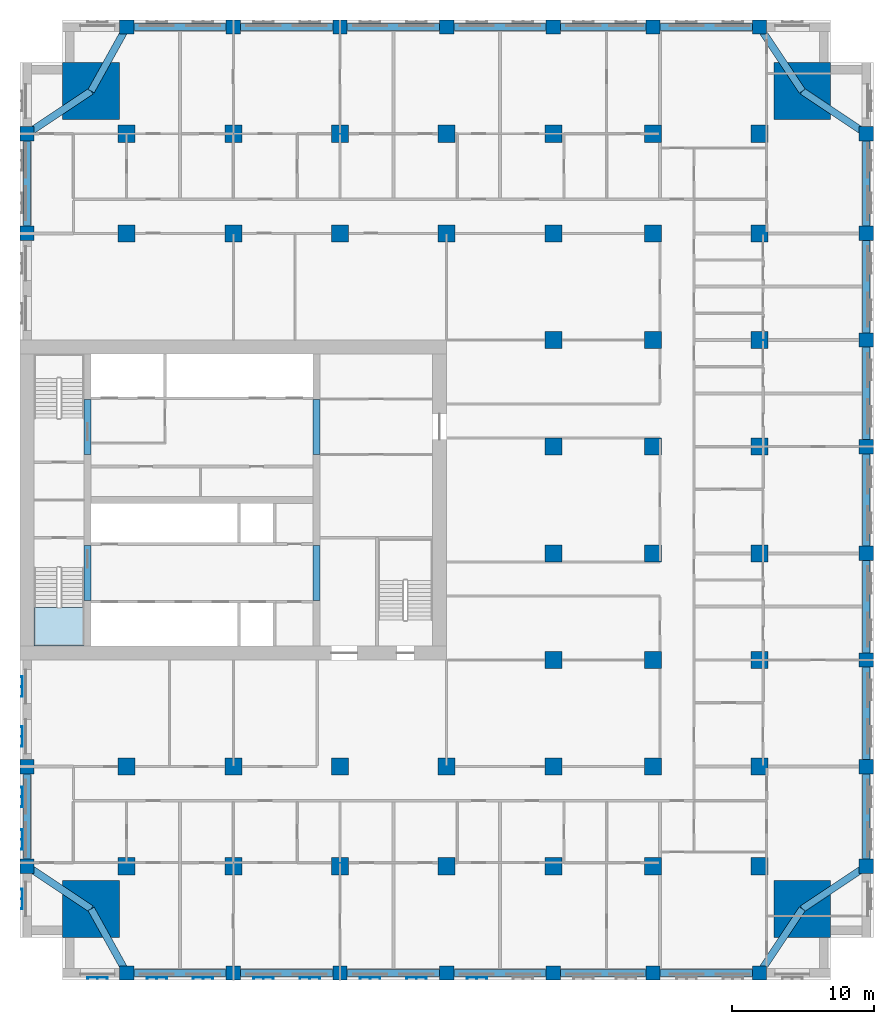
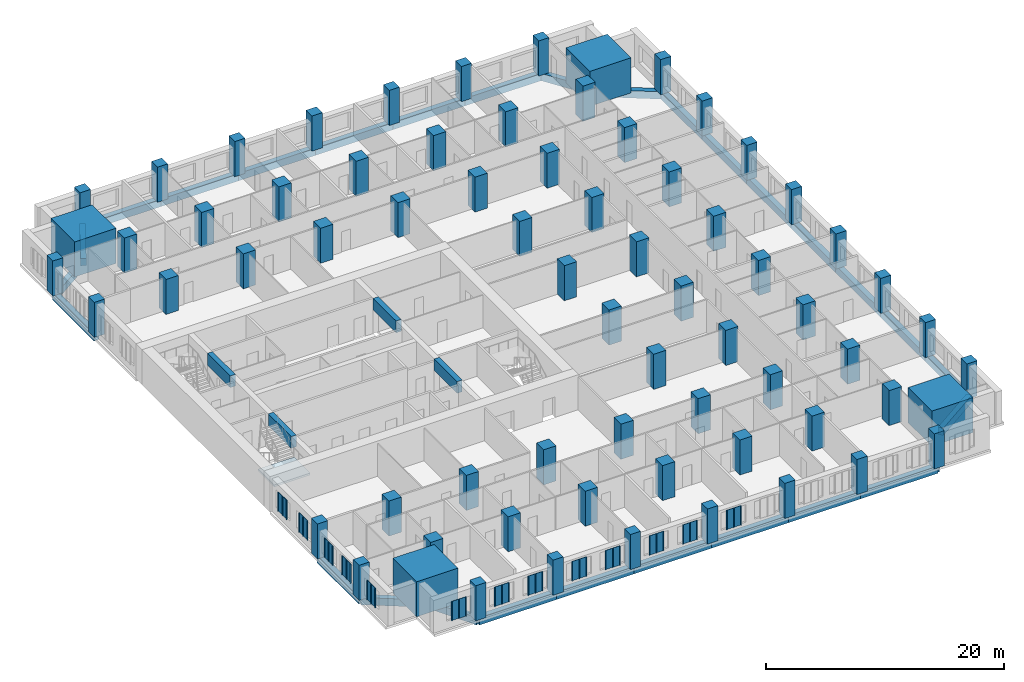
# One storey, part 1 of 14: 70 columns, 33 beams, 13 plates, 1 slab, 1 element without a shape of its own.
"""IFC4 building model written with IfcOpenShell, lengths in metres."""

from ifc_helpers import new_model, si_unit, direction, frame, origin, origin_2d, place, context, subcontext, project, spatial, polyline, rectangle, outline, extrude, material, layer, layer_set, material_profile, profile_set, type_object, element, aggregate, save


model = new_model("IFC4")

# Units and contexts
model_context = context("Model", 3, precision=1e-05, world=origin(), true_north=direction((0.0, 1.0)))
body_context = subcontext(model_context, "Body", "Model", "MODEL_VIEW")
ifc_project = project(units=[si_unit("LENGTHUNIT", "METRE"), si_unit("AREAUNIT", "SQUARE_METRE"), si_unit("VOLUMEUNIT", "CUBIC_METRE"), si_unit("PLANEANGLEUNIT", "RADIAN"), si_unit("MASSUNIT", "GRAM", prefix="KILO")], contexts=[model_context])

# Site, building, storey
site_placement = place(None, origin())
site = spatial("IfcSite", under=ifc_project, at=site_placement, CompositionType="ELEMENT")
building_placement = place(site_placement, origin())
building = spatial("IfcBuilding", under=site, at=building_placement, Name="Tamorin Gate", CompositionType="ELEMENT")
storey_placement = place(building_placement, frame((0.0, 0.0, 41.199951171875)))
storey = spatial("IfcBuildingStorey", under=building, at=storey_placement, Name="L08", CompositionType="ELEMENT", Elevation=41.199951171875)

# Columns
ifc_material_1 = material(Name="Concrete C80/95", Category="concrete")
ifc_material_profile_1 = material_profile(ifc_material_1, rectangle(XDim=1.0, YDim=1.0, at=origin_2d()), Name="RC 1000x1000")
ifc_profile_set_1 = profile_set([ifc_material_profile_1], Name="Concrete C80/95")
column_type_1 = type_object("IfcColumnType", Name="RC column 1000x1000 C80/95", PredefinedType="COLUMN", material=ifc_profile_set_1)
for number, where, z_axis, x_axis, name in (
    (1, (30.5, 45.5, 0.0), (0.0, 0.0, 1.0), (1.0, 0.0, 0.0), "Ring column L08"),
    (2, (30.5, 52.5, 0.0), (0.0, 0.0, 1.0), (1.0, 0.0, 0.0), "Ring column L08"),
    (3, (30.5, 90.0, 0.0), (0.0, 0.0, 1.0), (1.0, 0.0, 0.0), "Ring column L08"),
    (4, (30.5, 97.0, 0.0), (0.0, 0.0, 1.0), (1.0, 0.0, 0.0), "Ring column L08"),
    (5, (37.5, 38.0, 0.0), (0.0, 0.0, 1.0), (1.0, 0.0, 0.0), "Ring column L08"),
    (6, (37.5, 104.5, 0.0), (0.0, 0.0, 1.0), (1.0, 0.0, 0.0), "Ring column L08"),
    (7, (45.0, 38.0, 0.0), (0.0, 0.0, 1.0), (1.0, 0.0, 0.0), "Ring column L08"),
    (8, (45.0, 104.5, 0.0), (0.0, 0.0, 1.0), (1.0, 0.0, 0.0), "Ring column L08"),
    (9, (52.5, 38.0, 0.0), (0.0, 0.0, 1.0), (1.0, 0.0, 0.0), "Ring column L08"),
    (10, (52.5, 104.5, 0.0), (0.0, 0.0, 1.0), (1.0, 0.0, 0.0), "Ring column L08"),
    (11, (60.0, 38.0, 0.0), (0.0, 0.0, 1.0), (1.0, 0.0, 0.0), "Ring column L08"),
    (12, (60.0, 104.5, 0.0), (0.0, 0.0, 1.0), (1.0, 0.0, 0.0), "Ring column L08"),
    (13, (67.5, 38.0, 0.0), (0.0, 0.0, 1.0), (1.0, 0.0, 0.0), "Ring column L08"),
    (14, (67.5, 104.5, 0.0), (0.0, 0.0, 1.0), (1.0, 0.0, 0.0), "Ring column L08"),
    (15, (74.5, 38.0, 0.0), (0.0, 0.0, 1.0), (1.0, 0.0, 0.0), "Ring column L08"),
    (16, (74.5, 104.5, 0.0), (0.0, 0.0, 1.0), (1.0, 0.0, 0.0), "Ring column L08"),
    (17, (82.0, 38.0, 0.0), (0.0, 0.0, 1.0), (1.0, 0.0, 0.0), "Ring column L08"),
    (18, (82.0, 104.5, 0.0), (0.0, 0.0, 1.0), (1.0, 0.0, 0.0), "Ring column L08"),
    (19, (89.5, 45.5, 0.0), (0.0, 0.0, 1.0), (1.0, 0.0, 0.0), "Ring column L08"),
    (20, (89.5, 52.5, 0.0), (0.0, 0.0, 1.0), (1.0, 0.0, 0.0), "Ring column L08"),
    (21, (89.5, 60.0, 0.0), (0.0, 0.0, 1.0), (1.0, 0.0, 0.0), "Ring column L08"),
    (22, (89.5, 67.5, 0.0), (0.0, 0.0, 1.0), (1.0, 0.0, 0.0), "Ring column L08"),
    (23, (89.5, 75.0, 0.0), (0.0, 0.0, 1.0), (1.0, 0.0, 0.0), "Ring column L08"),
    (24, (89.5, 82.5, 0.0), (0.0, 0.0, 1.0), (1.0, 0.0, 0.0), "Ring column L08"),
    (25, (89.5, 90.0, 0.0), (0.0, 0.0, 1.0), (1.0, 0.0, 0.0), "Ring column L08"),
    (26, (89.5, 97.0, 0.0), (0.0, 0.0, 1.0), (1.0, 0.0, 0.0), "Ring column L08"),
):
    element("IfcColumn", number, at=place(storey_placement, frame(where, z_axis=z_axis, x_axis=x_axis)), inside=storey, type_object=column_type_1, Name=name, PredefinedType="COLUMN", context=body_context, shape_type="SweptSolid", body=[
        extrude(rectangle(XDim=1.0, YDim=1.0, at=origin_2d()), origin(), (0.0, 0.0, 1.0), 3.60009765625),
    ])
ifc_material_profile_2 = material_profile(ifc_material_1, rectangle(XDim=1.199951171875, YDim=1.199951171875, at=origin_2d()), Name="RC 1200x1200")
ifc_profile_set_2 = profile_set([ifc_material_profile_2], Name="Concrete C80/95")
column_type_2 = type_object("IfcColumnType", Name="RC column 1200x1200 C80/95", PredefinedType="COLUMN", material=ifc_profile_set_2)
for number, where, z_axis, x_axis, name in (
    (27, (37.5, 45.5, 0.0), (0.0, 0.0, 1.0), (1.0, 0.0, 0.0), "Interior column L08"),
    (28, (37.5, 52.5, 0.0), (0.0, 0.0, 1.0), (1.0, 0.0, 0.0), "Interior column L08"),
    (29, (37.5, 90.0, 0.0), (0.0, 0.0, 1.0), (1.0, 0.0, 0.0), "Interior column L08"),
    (30, (37.5, 97.0, 0.0), (0.0, 0.0, 1.0), (1.0, 0.0, 0.0), "Interior column L08"),
    (31, (45.0, 45.5, 0.0), (0.0, 0.0, 1.0), (1.0, 0.0, 0.0), "Interior column L08"),
    (32, (45.0, 52.5, 0.0), (0.0, 0.0, 1.0), (1.0, 0.0, 0.0), "Interior column L08"),
    (33, (45.0, 90.0, 0.0), (0.0, 0.0, 1.0), (1.0, 0.0, 0.0), "Interior column L08"),
    (34, (45.0, 97.0, 0.0), (0.0, 0.0, 1.0), (1.0, 0.0, 0.0), "Interior column L08"),
    (35, (52.5, 45.5, 0.0), (0.0, 0.0, 1.0), (1.0, 0.0, 0.0), "Interior column L08"),
    (36, (52.5, 52.5, 0.0), (0.0, 0.0, 1.0), (1.0, 0.0, 0.0), "Interior column L08"),
    (37, (52.5, 90.0, 0.0), (0.0, 0.0, 1.0), (1.0, 0.0, 0.0), "Interior column L08"),
    (38, (52.5, 97.0, 0.0), (0.0, 0.0, 1.0), (1.0, 0.0, 0.0), "Interior column L08"),
    (39, (60.0, 45.5, 0.0), (0.0, 0.0, 1.0), (1.0, 0.0, 0.0), "Interior column L08"),
    (40, (60.0, 52.5, 0.0), (0.0, 0.0, 1.0), (1.0, 0.0, 0.0), "Interior column L08"),
    (41, (60.0, 90.0, 0.0), (0.0, 0.0, 1.0), (1.0, 0.0, 0.0), "Interior column L08"),
    (42, (60.0, 97.0, 0.0), (0.0, 0.0, 1.0), (1.0, 0.0, 0.0), "Interior column L08"),
    (43, (67.5, 45.5, 0.0), (0.0, 0.0, 1.0), (1.0, 0.0, 0.0), "Interior column L08"),
    (44, (67.5, 52.5, 0.0), (0.0, 0.0, 1.0), (1.0, 0.0, 0.0), "Interior column L08"),
    (45, (67.5, 60.0, 0.0), (0.0, 0.0, 1.0), (1.0, 0.0, 0.0), "Interior column L08"),
    (46, (67.5, 67.5, 0.0), (0.0, 0.0, 1.0), (1.0, 0.0, 0.0), "Interior column L08"),
    (47, (67.5, 75.0, 0.0), (0.0, 0.0, 1.0), (1.0, 0.0, 0.0), "Interior column L08"),
    (48, (67.5, 82.5, 0.0), (0.0, 0.0, 1.0), (1.0, 0.0, 0.0), "Interior column L08"),
    (49, (67.5, 90.0, 0.0), (0.0, 0.0, 1.0), (1.0, 0.0, 0.0), "Interior column L08"),
    (50, (67.5, 97.0, 0.0), (0.0, 0.0, 1.0), (1.0, 0.0, 0.0), "Interior column L08"),
    (51, (74.5, 45.5, 0.0), (0.0, 0.0, 1.0), (1.0, 0.0, 0.0), "Interior column L08"),
    (52, (74.5, 52.5, 0.0), (0.0, 0.0, 1.0), (1.0, 0.0, 0.0), "Interior column L08"),
    (53, (74.5, 60.0, 0.0), (0.0, 0.0, 1.0), (1.0, 0.0, 0.0), "Interior column L08"),
    (54, (74.5, 67.5, 0.0), (0.0, 0.0, 1.0), (1.0, 0.0, 0.0), "Interior column L08"),
    (55, (74.5, 75.0, 0.0), (0.0, 0.0, 1.0), (1.0, 0.0, 0.0), "Interior column L08"),
    (56, (74.5, 82.5, 0.0), (0.0, 0.0, 1.0), (1.0, 0.0, 0.0), "Interior column L08"),
    (57, (74.5, 90.0, 0.0), (0.0, 0.0, 1.0), (1.0, 0.0, 0.0), "Interior column L08"),
    (58, (74.5, 97.0, 0.0), (0.0, 0.0, 1.0), (1.0, 0.0, 0.0), "Interior column L08"),
    (59, (82.0, 45.5, 0.0), (0.0, 0.0, 1.0), (1.0, 0.0, 0.0), "Interior column L08"),
    (60, (82.0, 52.5, 0.0), (0.0, 0.0, 1.0), (1.0, 0.0, 0.0), "Interior column L08"),
    (61, (82.0, 60.0, 0.0), (0.0, 0.0, 1.0), (1.0, 0.0, 0.0), "Interior column L08"),
    (62, (82.0, 67.5, 0.0), (0.0, 0.0, 1.0), (1.0, 0.0, 0.0), "Interior column L08"),
    (63, (82.0, 75.0, 0.0), (0.0, 0.0, 1.0), (1.0, 0.0, 0.0), "Interior column L08"),
    (64, (82.0, 82.5, 0.0), (0.0, 0.0, 1.0), (1.0, 0.0, 0.0), "Interior column L08"),
    (65, (82.0, 90.0, 0.0), (0.0, 0.0, 1.0), (1.0, 0.0, 0.0), "Interior column L08"),
    (66, (82.0, 97.0, 0.0), (0.0, 0.0, 1.0), (1.0, 0.0, 0.0), "Interior column L08"),
):
    element("IfcColumn", number, at=place(storey_placement, frame(where, z_axis=z_axis, x_axis=x_axis)), inside=storey, type_object=column_type_2, Name=name, PredefinedType="COLUMN", context=body_context, shape_type="SweptSolid", body=[
        extrude(rectangle(XDim=1.199951171875, YDim=1.199951171875, at=origin_2d()), origin(), (0.0, 0.0, 1.0), 3.60009765625),
    ])
ifc_material_profile_3 = material_profile(ifc_material_1, rectangle(XDim=4.0, YDim=4.0, at=origin_2d()), Name="RC 4000x4000")
ifc_profile_set_3 = profile_set([ifc_material_profile_3], Name="Concrete C80/95")
column_type_3 = type_object("IfcColumnType", Name="RC column 4000x4000 C80/95", PredefinedType="COLUMN", material=ifc_profile_set_3)
for number, where, z_axis, x_axis, name in (
    (67, (35.0, 42.5, 0.0), (0.0, 0.0, 1.0), (1.0, 0.0, 0.0), "Mega column SW L08"),
    (68, (85.0, 42.5, 0.0), (0.0, 0.0, 1.0), (1.0, 0.0, 0.0), "Mega column SE L08"),
    (69, (35.0, 100.0, 0.0), (0.0, 0.0, 1.0), (1.0, 0.0, 0.0), "Mega column NW L08"),
    (70, (85.0, 100.0, 0.0), (0.0, 0.0, 1.0), (1.0, 0.0, 0.0), "Mega column NE L08"),
):
    element("IfcColumn", number, at=place(storey_placement, frame(where, z_axis=z_axis, x_axis=x_axis)), inside=storey, type_object=column_type_3, Name=name, PredefinedType="COLUMN", context=body_context, shape_type="SweptSolid", body=[
        extrude(rectangle(XDim=4.0, YDim=4.0, at=origin_2d()), origin(), (0.0, 0.0, 1.0), 3.60009765625),
    ])

# Beams
ifc_material_profile_4 = material_profile(ifc_material_1, rectangle(XDim=0.5, YDim=1.199951171875, at=origin_2d()), Name="RC 500x1200")
ifc_profile_set_4 = profile_set([ifc_material_profile_4], Name="Concrete C80/95")
beam_type_1 = type_object("IfcBeamType", Name="RC coupling beam 500x1200 C80/95", PredefinedType="BEAM", material=ifc_profile_set_4)
for number, where, z_axis, x_axis, name in (
    (71, (34.75, 64.199951171875, 3.0), (0.0, 1.0, 0.0), (-1.0, 0.0, 0.0), "Coupling beam L08"),
    (72, (34.75, 74.449951171875, 3.0), (0.0, 1.0, 0.0), (-1.0, 0.0, 0.0), "Coupling beam L08"),
    (73, (50.85009765625, 64.199951171875, 3.0), (0.0, 1.0, 0.0), (-1.0, 0.0, 0.0), "Coupling beam L08"),
    (74, (50.85009765625, 74.449951171875, 3.0), (0.0, 1.0, 0.0), (-1.0, 0.0, 0.0), "Coupling beam L08"),
):
    element("IfcBeam", number, at=place(storey_placement, frame(where, z_axis=z_axis, x_axis=x_axis)), inside=storey, type_object=beam_type_1, Name=name, PredefinedType="BEAM", context=body_context, shape_type="SweptSolid", body=[
        extrude(rectangle(XDim=0.5, YDim=1.199951171875, at=origin_2d()), origin(), (0.0, 0.0, 1.0), 3.85009765625),
    ])
ifc_material_2 = material(Name="Concrete C50/60", Category="concrete")
ifc_material_profile_5 = material_profile(ifc_material_2, rectangle(XDim=0.5, YDim=0.75, at=origin_2d()), Name="RC 500x750")
ifc_profile_set_5 = profile_set([ifc_material_profile_5], Name="Concrete C50/60")
beam_type_2 = type_object("IfcBeamType", Name="RC spandrel 500x750 C50/60", PredefinedType="BEAM", material=ifc_profile_set_5)
for number, where, z_axis, x_axis, name in (
    (75, (37.5, 38.0, -0.375), (1.0, 0.0, 0.0), (0.0, 1.0, 0.0), "Spandrel beam L08"),
    (76, (45.0, 38.0, -0.375), (1.0, 0.0, 0.0), (0.0, 1.0, 0.0), "Spandrel beam L08"),
    (77, (52.5, 38.0, -0.375), (1.0, 0.0, 0.0), (0.0, 1.0, 0.0), "Spandrel beam L08"),
    (78, (60.0, 38.0, -0.375), (1.0, 0.0, 0.0), (0.0, 1.0, 0.0), "Spandrel beam L08"),
):
    element("IfcBeam", number, at=place(storey_placement, frame(where, z_axis=z_axis, x_axis=x_axis)), inside=storey, type_object=beam_type_2, Name=name, PredefinedType="BEAM", context=body_context, shape_type="SweptSolid", body=[
        extrude(rectangle(XDim=0.5, YDim=0.75, at=origin_2d()), origin(), (0.0, 0.0, 1.0), 7.5),
    ])
beam_1_placement = place(storey_placement, frame((67.5, 38.0, -0.375), z_axis=(1.0, 0.0, 0.0), x_axis=(0.0, 1.0, 0.0)))
element("IfcBeam", 79, at=beam_1_placement, inside=storey, type_object=beam_type_2, Name="Spandrel beam L08", PredefinedType="BEAM", context=body_context, shape_type="SweptSolid", body=[
    extrude(rectangle(XDim=0.5, YDim=0.75, at=origin_2d()), origin(), (0.0, 0.0, 1.0), 7.0),
])
beam_2_placement = place(storey_placement, frame((74.5, 38.0, -0.375), z_axis=(1.0, 0.0, 0.0), x_axis=(0.0, 1.0, 0.0)))
element("IfcBeam", 80, at=beam_2_placement, inside=storey, type_object=beam_type_2, Name="Spandrel beam L08", PredefinedType="BEAM", context=body_context, shape_type="SweptSolid", body=[
    extrude(rectangle(XDim=0.5, YDim=0.75, at=origin_2d()), origin(), (0.0, 0.0, 1.0), 7.5),
])
beam_3_placement = place(storey_placement, frame((89.5, 45.5, -0.375), z_axis=(0.0, 1.0, 0.0), x_axis=(-1.0, 0.0, 0.0)))
element("IfcBeam", 81, at=beam_3_placement, inside=storey, type_object=beam_type_2, Name="Spandrel beam L08", PredefinedType="BEAM", context=body_context, shape_type="SweptSolid", body=[
    extrude(rectangle(XDim=0.5, YDim=0.75, at=origin_2d()), origin(), (0.0, 0.0, 1.0), 7.0),
])
for number, where, z_axis, x_axis, name in (
    (82, (89.5, 52.5, -0.375), (0.0, 1.0, 0.0), (-1.0, 0.0, 0.0), "Spandrel beam L08"),
    (83, (89.5, 60.0, -0.375), (0.0, 1.0, 0.0), (-1.0, 0.0, 0.0), "Spandrel beam L08"),
    (84, (89.5, 67.5, -0.375), (0.0, 1.0, 0.0), (-1.0, 0.0, 0.0), "Spandrel beam L08"),
    (85, (89.5, 75.0, -0.375), (0.0, 1.0, 0.0), (-1.0, 0.0, 0.0), "Spandrel beam L08"),
    (86, (89.5, 82.5, -0.375), (0.0, 1.0, 0.0), (-1.0, 0.0, 0.0), "Spandrel beam L08"),
):
    element("IfcBeam", number, at=place(storey_placement, frame(where, z_axis=z_axis, x_axis=x_axis)), inside=storey, type_object=beam_type_2, Name=name, PredefinedType="BEAM", context=body_context, shape_type="SweptSolid", body=[
        extrude(rectangle(XDim=0.5, YDim=0.75, at=origin_2d()), origin(), (0.0, 0.0, 1.0), 7.5),
    ])
beam_4_placement = place(storey_placement, frame((89.5, 90.0, -0.375), z_axis=(0.0, 1.0, 0.0), x_axis=(-1.0, 0.0, 0.0)))
element("IfcBeam", 87, at=beam_4_placement, inside=storey, type_object=beam_type_2, Name="Spandrel beam L08", PredefinedType="BEAM", context=body_context, shape_type="SweptSolid", body=[
    extrude(rectangle(XDim=0.5, YDim=0.75, at=origin_2d()), origin(), (0.0, 0.0, 1.0), 7.0),
])
beam_5_placement = place(storey_placement, frame((82.0, 104.5, -0.375), z_axis=(-1.0, 0.0, 0.0), x_axis=(0.0, -1.0, 0.0)))
element("IfcBeam", 88, at=beam_5_placement, inside=storey, type_object=beam_type_2, Name="Spandrel beam L08", PredefinedType="BEAM", context=body_context, shape_type="SweptSolid", body=[
    extrude(rectangle(XDim=0.5, YDim=0.75, at=origin_2d()), origin(), (0.0, 0.0, 1.0), 7.5),
])
beam_6_placement = place(storey_placement, frame((74.5, 104.5, -0.375), z_axis=(-1.0, 0.0, 0.0), x_axis=(0.0, -1.0, 0.0)))
element("IfcBeam", 89, at=beam_6_placement, inside=storey, type_object=beam_type_2, Name="Spandrel beam L08", PredefinedType="BEAM", context=body_context, shape_type="SweptSolid", body=[
    extrude(rectangle(XDim=0.5, YDim=0.75, at=origin_2d()), origin(), (0.0, 0.0, 1.0), 7.0),
])
for number, where, z_axis, x_axis, name in (
    (90, (67.5, 104.5, -0.375), (-1.0, 0.0, 0.0), (0.0, -1.0, 0.0), "Spandrel beam L08"),
    (91, (60.0, 104.5, -0.375), (-1.0, 0.0, 0.0), (0.0, -1.0, 0.0), "Spandrel beam L08"),
    (92, (52.5, 104.5, -0.375), (-1.0, 0.0, 0.0), (0.0, -1.0, 0.0), "Spandrel beam L08"),
    (93, (45.0, 104.5, -0.375), (-1.0, 0.0, 0.0), (0.0, -1.0, 0.0), "Spandrel beam L08"),
):
    element("IfcBeam", number, at=place(storey_placement, frame(where, z_axis=z_axis, x_axis=x_axis)), inside=storey, type_object=beam_type_2, Name=name, PredefinedType="BEAM", context=body_context, shape_type="SweptSolid", body=[
        extrude(rectangle(XDim=0.5, YDim=0.75, at=origin_2d()), origin(), (0.0, 0.0, 1.0), 7.5),
    ])
for number, where, z_axis, x_axis, name in (
    (94, (30.5, 97.0, -0.375), (0.0, -1.0, 0.0), (1.0, 0.0, 0.0), "Spandrel beam L08"),
    (95, (30.5, 52.5, -0.375), (0.0, -1.0, 0.0), (1.0, 0.0, 0.0), "Spandrel beam L08"),
):
    element("IfcBeam", number, at=place(storey_placement, frame(where, z_axis=z_axis, x_axis=x_axis)), inside=storey, type_object=beam_type_2, Name=name, PredefinedType="BEAM", context=body_context, shape_type="SweptSolid", body=[
        extrude(rectangle(XDim=0.5, YDim=0.75, at=origin_2d()), origin(), (0.0, 0.0, 1.0), 7.0),
    ])
beam_7_placement = place(storey_placement, frame((35.0, 42.5, -0.375), z_axis=(0.485642931179, -0.874157276122, 0.0), x_axis=(0.874157276122, 0.485642931179, 0.0)))
element("IfcBeam", 96, at=beam_7_placement, inside=storey, type_object=beam_type_2, Name="Corner tie beam L08", PredefinedType="BEAM", context=body_context, shape_type="SweptSolid", body=[
    extrude(rectangle(XDim=0.5, YDim=0.75, at=origin_2d()), origin(), (0.0, 0.0, 1.0), 5.147705078125),
])
for number, where, z_axis, x_axis, name in (
    (97, (35.0, 42.5, -0.375), (-0.832050294338, 0.554700196225, 0.0), (-0.554700196225, -0.832050294338, 0.0), "Corner tie beam L08"),
    (98, (85.0, 42.5, -0.375), (-0.554700196225, -0.832050294338, 0.0), (0.832050294338, -0.554700196225, 0.0), "Corner tie beam L08"),
    (99, (85.0, 42.5, -0.375), (0.832050294338, 0.554700196225, 0.0), (-0.554700196225, 0.832050294338, 0.0), "Corner tie beam L08"),
):
    element("IfcBeam", number, at=place(storey_placement, frame(where, z_axis=z_axis, x_axis=x_axis)), inside=storey, type_object=beam_type_2, Name=name, PredefinedType="BEAM", context=body_context, shape_type="SweptSolid", body=[
        extrude(rectangle(XDim=0.5, YDim=0.75, at=origin_2d()), origin(), (0.0, 0.0, 1.0), 5.408447265625),
    ])
beam_8_placement = place(storey_placement, frame((35.0, 100.0, -0.375), z_axis=(0.485642931179, 0.874157276122, 0.0), x_axis=(-0.874157276122, 0.485642931179, 0.0)))
element("IfcBeam", 100, at=beam_8_placement, inside=storey, type_object=beam_type_2, Name="Corner tie beam L08", PredefinedType="BEAM", context=body_context, shape_type="SweptSolid", body=[
    extrude(rectangle(XDim=0.5, YDim=0.75, at=origin_2d()), origin(), (0.0, 0.0, 1.0), 5.147705078125),
])
for number, where, z_axis, x_axis, name in (
    (101, (35.0, 100.0, -0.375), (-0.832050294338, -0.554700196225, 0.0), (0.554700196225, -0.832050294338, 0.0), "Corner tie beam L08"),
    (102, (85.0, 100.0, -0.375), (-0.554700196225, 0.832050294338, 0.0), (-0.832050294338, -0.554700196225, 0.0), "Corner tie beam L08"),
    (103, (85.0, 100.0, -0.375), (0.832050294338, -0.554700196225, 0.0), (0.554700196225, 0.832050294338, 0.0), "Corner tie beam L08"),
):
    element("IfcBeam", number, at=place(storey_placement, frame(where, z_axis=z_axis, x_axis=x_axis)), inside=storey, type_object=beam_type_2, Name=name, PredefinedType="BEAM", context=body_context, shape_type="SweptSolid", body=[
        extrude(rectangle(XDim=0.5, YDim=0.75, at=origin_2d()), origin(), (0.0, 0.0, 1.0), 5.408447265625),
    ])

# Stair, slab
ifc_material_3 = material(Name="Concrete C40/50", Category="concrete")
stair_type = type_object("IfcStairType", Name="Exit stair", PredefinedType="HALF_TURN_STAIR", material=ifc_material_3)
stair_placement = place(storey_placement, origin())
stair = element("IfcStair", 104, at=stair_placement, inside=storey, type_object=stair_type, Name="L08 stair ST1", PredefinedType="HALF_TURN_STAIR")
ifc_layer_1 = layer(ifc_material_3, 0.199951171875)
ifc_layer_set_1 = layer_set([ifc_layer_1], Name="Exit stair landing 200")
slab_type = type_object("IfcSlabType", Name="Exit stair landing 200", PredefinedType="LANDING", material=ifc_layer_set_1)
slab_placement = place(storey_placement, frame((0.0, 0.0, 1.60009765625)))
slab = element("IfcSlab", 105, at=slab_placement, type_object=slab_type, Name="ST1 landing 1", PredefinedType="LANDING", context=body_context, shape_type="SweptSolid", body=[
    extrude(outline(polyline([(31.0, 63.699951171875), (31.0, 61.0), (34.5, 61.0), (34.5, 63.699951171875), (31.0, 63.699951171875)])), origin(), (0.0, 0.0, 1.0), 0.199951171875),
])
aggregate(stair, [slab])

# Plates
ifc_material_4 = material(Name="Perforated pale aluminium sheet", Category="aluminium")
ifc_layer_2 = layer(ifc_material_4, 0.0400390625)
ifc_layer_set_2 = layer_set([ifc_layer_2], Name="Pale metal solar screen 1440")
plate_type = type_object("IfcPlateType", Name="Pale metal solar screen 1440", PredefinedType="SHEET", material=ifc_layer_set_2)
plate_1_placement = place(storey_placement, frame((0.0, 0.0, 0.7099609375)))
element("IfcPlate", 106, at=plate_1_placement, inside=storey, type_object=plate_type, Name="Perforated solar screen", PredefinedType="SHEET", context=body_context, shape_type="SweptSolid", body=[
    extrude(outline(polyline([(34.72998046875, 37.659912109375), (34.72998046875, 37.699951171875), (34.7900390625, 37.699951171875), (35.419921875, 37.699951171875), (35.47998046875, 37.699951171875), (36.110107421875, 37.699951171875), (36.169921875, 37.699951171875), (36.169921875, 37.659912109375), (36.169921875, 37.60009765625), (36.110107421875, 37.60009765625), (36.110107421875, 37.659912109375), (35.47998046875, 37.659912109375), (35.47998046875, 37.60009765625), (35.419921875, 37.60009765625), (35.419921875, 37.659912109375), (34.7900390625, 37.659912109375), (34.7900390625, 37.60009765625), (34.72998046875, 37.60009765625), (34.72998046875, 37.659912109375)])), origin(), (0.0, 0.0, 1.0), 1.97998046875),
])
plate_2_placement = place(storey_placement, frame((0.0, 0.0, 0.7099609375)))
element("IfcPlate", 107, at=plate_2_placement, inside=storey, type_object=plate_type, Name="Perforated solar screen", PredefinedType="SHEET", context=body_context, shape_type="SweptSolid", body=[
    extrude(outline(polyline([(38.905029296875, 37.659912109375), (38.905029296875, 37.699951171875), (38.965087890625, 37.699951171875), (39.594970703125, 37.699951171875), (39.655029296875, 37.699951171875), (40.284912109375, 37.699951171875), (40.344970703125, 37.699951171875), (40.344970703125, 37.699951171875), (40.344970703125, 37.659912109375), (40.344970703125, 37.659912109375), (40.344970703125, 37.60009765625), (40.284912109375, 37.60009765625), (40.284912109375, 37.659912109375), (39.655029296875, 37.659912109375), (39.655029296875, 37.60009765625), (39.594970703125, 37.60009765625), (39.594970703125, 37.659912109375), (38.965087890625, 37.659912109375), (38.965087890625, 37.60009765625), (38.905029296875, 37.60009765625), (38.905029296875, 37.659912109375)])), origin(), (0.0, 0.0, 1.0), 1.97998046875),
])
plate_3_placement = place(storey_placement, frame((0.0, 0.0, 0.7099609375)))
element("IfcPlate", 108, at=plate_3_placement, inside=storey, type_object=plate_type, Name="Perforated solar screen", PredefinedType="SHEET", context=body_context, shape_type="SweptSolid", body=[
    extrude(outline(polyline([(42.155029296875, 37.659912109375), (42.155029296875, 37.699951171875), (42.215087890625, 37.699951171875), (42.844970703125, 37.699951171875), (42.905029296875, 37.699951171875), (43.534912109375, 37.699951171875), (43.594970703125, 37.699951171875), (43.594970703125, 37.659912109375), (43.594970703125, 37.60009765625), (43.534912109375, 37.60009765625), (43.534912109375, 37.659912109375), (42.905029296875, 37.659912109375), (42.905029296875, 37.60009765625), (42.844970703125, 37.60009765625), (42.844970703125, 37.659912109375), (42.215087890625, 37.659912109375), (42.215087890625, 37.60009765625), (42.155029296875, 37.60009765625), (42.155029296875, 37.659912109375)])), origin(), (0.0, 0.0, 1.0), 1.97998046875),
])
plate_4_placement = place(storey_placement, frame((0.0, 0.0, 0.7099609375)))
element("IfcPlate", 109, at=plate_4_placement, inside=storey, type_object=plate_type, Name="Perforated solar screen", PredefinedType="SHEET", context=body_context, shape_type="SweptSolid", body=[
    extrude(outline(polyline([(46.405029296875, 37.659912109375), (46.405029296875, 37.699951171875), (46.465087890625, 37.699951171875), (47.094970703125, 37.699951171875), (47.155029296875, 37.699951171875), (47.784912109375, 37.699951171875), (47.844970703125, 37.699951171875), (47.844970703125, 37.659912109375), (47.844970703125, 37.60009765625), (47.784912109375, 37.60009765625), (47.784912109375, 37.659912109375), (47.155029296875, 37.659912109375), (47.155029296875, 37.60009765625), (47.094970703125, 37.60009765625), (47.094970703125, 37.659912109375), (46.465087890625, 37.659912109375), (46.465087890625, 37.60009765625), (46.405029296875, 37.60009765625), (46.405029296875, 37.659912109375)])), origin(), (0.0, 0.0, 1.0), 1.97998046875),
])
plate_5_placement = place(storey_placement, frame((0.0, 0.0, 0.7099609375)))
element("IfcPlate", 110, at=plate_5_placement, inside=storey, type_object=plate_type, Name="Perforated solar screen", PredefinedType="SHEET", context=body_context, shape_type="SweptSolid", body=[
    extrude(outline(polyline([(49.655029296875, 37.659912109375), (49.655029296875, 37.699951171875), (49.715087890625, 37.699951171875), (50.344970703125, 37.699951171875), (50.405029296875, 37.699951171875), (51.034912109375, 37.699951171875), (51.094970703125, 37.699951171875), (51.094970703125, 37.659912109375), (51.094970703125, 37.60009765625), (51.034912109375, 37.60009765625), (51.034912109375, 37.659912109375), (50.405029296875, 37.659912109375), (50.405029296875, 37.60009765625), (50.344970703125, 37.60009765625), (50.344970703125, 37.659912109375), (49.715087890625, 37.659912109375), (49.715087890625, 37.60009765625), (49.655029296875, 37.60009765625), (49.655029296875, 37.659912109375)])), origin(), (0.0, 0.0, 1.0), 1.97998046875),
])
plate_6_placement = place(storey_placement, frame((0.0, 0.0, 0.7099609375)))
element("IfcPlate", 111, at=plate_6_placement, inside=storey, type_object=plate_type, Name="Perforated solar screen", PredefinedType="SHEET", context=body_context, shape_type="SweptSolid", body=[
    extrude(outline(polyline([(53.905029296875, 37.659912109375), (53.905029296875, 37.699951171875), (53.965087890625, 37.699951171875), (54.594970703125, 37.699951171875), (54.655029296875, 37.699951171875), (55.284912109375, 37.699951171875), (55.344970703125, 37.699951171875), (55.344970703125, 37.659912109375), (55.344970703125, 37.60009765625), (55.284912109375, 37.60009765625), (55.284912109375, 37.659912109375), (54.655029296875, 37.659912109375), (54.655029296875, 37.60009765625), (54.594970703125, 37.60009765625), (54.594970703125, 37.659912109375), (53.965087890625, 37.659912109375), (53.965087890625, 37.60009765625), (53.905029296875, 37.60009765625), (53.905029296875, 37.659912109375)])), origin(), (0.0, 0.0, 1.0), 1.97998046875),
])
plate_7_placement = place(storey_placement, frame((0.0, 0.0, 0.7099609375)))
element("IfcPlate", 112, at=plate_7_placement, inside=storey, type_object=plate_type, Name="Perforated solar screen", PredefinedType="SHEET", context=body_context, shape_type="SweptSolid", body=[
    extrude(outline(polyline([(57.155029296875, 37.659912109375), (57.155029296875, 37.699951171875), (57.215087890625, 37.699951171875), (57.844970703125, 37.699951171875), (57.905029296875, 37.699951171875), (58.534912109375, 37.699951171875), (58.594970703125, 37.699951171875), (58.594970703125, 37.659912109375), (58.594970703125, 37.60009765625), (58.534912109375, 37.60009765625), (58.534912109375, 37.659912109375), (57.905029296875, 37.659912109375), (57.905029296875, 37.60009765625), (57.844970703125, 37.60009765625), (57.844970703125, 37.659912109375), (57.215087890625, 37.659912109375), (57.215087890625, 37.60009765625), (57.155029296875, 37.60009765625), (57.155029296875, 37.659912109375)])), origin(), (0.0, 0.0, 1.0), 1.97998046875),
])
plate_8_placement = place(storey_placement, frame((0.0, 0.0, 0.7099609375)))
element("IfcPlate", 113, at=plate_8_placement, inside=storey, type_object=plate_type, Name="Perforated solar screen", PredefinedType="SHEET", context=body_context, shape_type="SweptSolid", body=[
    extrude(outline(polyline([(61.405029296875, 37.659912109375), (61.405029296875, 37.699951171875), (61.465087890625, 37.699951171875), (62.094970703125, 37.699951171875), (62.155029296875, 37.699951171875), (62.784912109375, 37.699951171875), (62.844970703125, 37.699951171875), (62.844970703125, 37.659912109375), (62.844970703125, 37.60009765625), (62.784912109375, 37.60009765625), (62.784912109375, 37.659912109375), (62.155029296875, 37.659912109375), (62.155029296875, 37.60009765625), (62.094970703125, 37.60009765625), (62.094970703125, 37.659912109375), (61.465087890625, 37.659912109375), (61.465087890625, 37.60009765625), (61.405029296875, 37.60009765625), (61.405029296875, 37.659912109375)])), origin(), (0.0, 0.0, 1.0), 1.97998046875),
])
plate_9_placement = place(storey_placement, frame((0.0, 0.0, 0.7099609375)))
element("IfcPlate", 114, at=plate_9_placement, inside=storey, type_object=plate_type, Name="Perforated solar screen", PredefinedType="SHEET", context=body_context, shape_type="SweptSolid", body=[
    extrude(outline(polyline([(30.159912109375, 55.344970703125), (30.199951171875, 55.344970703125), (30.199951171875, 55.284912109375), (30.199951171875, 54.655029296875), (30.199951171875, 54.594970703125), (30.199951171875, 53.965087890625), (30.199951171875, 53.905029296875), (30.159912109375, 53.905029296875), (30.10009765625, 53.905029296875), (30.10009765625, 53.965087890625), (30.159912109375, 53.965087890625), (30.159912109375, 54.594970703125), (30.10009765625, 54.594970703125), (30.10009765625, 54.655029296875), (30.159912109375, 54.655029296875), (30.159912109375, 55.284912109375), (30.10009765625, 55.284912109375), (30.10009765625, 55.344970703125), (30.159912109375, 55.344970703125)])), origin(), (0.0, 0.0, 1.0), 1.97998046875),
])
plate_10_placement = place(storey_placement, frame((0.0, 0.0, 0.7099609375)))
element("IfcPlate", 115, at=plate_10_placement, inside=storey, type_object=plate_type, Name="Perforated solar screen", PredefinedType="SHEET", context=body_context, shape_type="SweptSolid", body=[
    extrude(outline(polyline([(30.159912109375, 58.844970703125), (30.199951171875, 58.844970703125), (30.199951171875, 58.784912109375), (30.199951171875, 58.155029296875), (30.199951171875, 58.094970703125), (30.199951171875, 57.465087890625), (30.199951171875, 57.405029296875), (30.159912109375, 57.405029296875), (30.10009765625, 57.405029296875), (30.10009765625, 57.465087890625), (30.159912109375, 57.465087890625), (30.159912109375, 58.094970703125), (30.10009765625, 58.094970703125), (30.10009765625, 58.155029296875), (30.159912109375, 58.155029296875), (30.159912109375, 58.784912109375), (30.10009765625, 58.784912109375), (30.10009765625, 58.844970703125), (30.159912109375, 58.844970703125)])), origin(), (0.0, 0.0, 1.0), 1.97998046875),
])
plate_11_placement = place(storey_placement, frame((0.0, 0.0, 0.7099609375)))
element("IfcPlate", 116, at=plate_11_placement, inside=storey, type_object=plate_type, Name="Perforated solar screen", PredefinedType="SHEET", context=body_context, shape_type="SweptSolid", body=[
    extrude(outline(polyline([(30.159912109375, 48.094970703125), (30.199951171875, 48.094970703125), (30.199951171875, 48.034912109375), (30.199951171875, 47.405029296875), (30.199951171875, 47.344970703125), (30.199951171875, 46.715087890625), (30.199951171875, 46.655029296875), (30.159912109375, 46.655029296875), (30.10009765625, 46.655029296875), (30.10009765625, 46.715087890625), (30.159912109375, 46.715087890625), (30.159912109375, 47.344970703125), (30.10009765625, 47.344970703125), (30.10009765625, 47.405029296875), (30.159912109375, 47.405029296875), (30.159912109375, 48.034912109375), (30.10009765625, 48.034912109375), (30.10009765625, 48.094970703125), (30.159912109375, 48.094970703125)])), origin(), (0.0, 0.0, 1.0), 1.97998046875),
])
plate_12_placement = place(storey_placement, frame((0.0, 0.0, 0.7099609375)))
element("IfcPlate", 117, at=plate_12_placement, inside=storey, type_object=plate_type, Name="Perforated solar screen", PredefinedType="SHEET", context=body_context, shape_type="SweptSolid", body=[
    extrude(outline(polyline([(30.159912109375, 51.094970703125), (30.199951171875, 51.094970703125), (30.199951171875, 51.034912109375), (30.199951171875, 50.405029296875), (30.199951171875, 50.344970703125), (30.199951171875, 49.715087890625), (30.199951171875, 49.655029296875), (30.159912109375, 49.655029296875), (30.10009765625, 49.655029296875), (30.10009765625, 49.715087890625), (30.159912109375, 49.715087890625), (30.159912109375, 50.344970703125), (30.10009765625, 50.344970703125), (30.10009765625, 50.405029296875), (30.159912109375, 50.405029296875), (30.159912109375, 51.034912109375), (30.10009765625, 51.034912109375), (30.10009765625, 51.094970703125), (30.159912109375, 51.094970703125)])), origin(), (0.0, 0.0, 1.0), 1.97998046875),
])
plate_13_placement = place(storey_placement, frame((0.0, 0.0, 0.7099609375)))
element("IfcPlate", 118, at=plate_13_placement, inside=storey, type_object=plate_type, Name="Perforated solar screen", PredefinedType="SHEET", context=body_context, shape_type="SweptSolid", body=[
    extrude(outline(polyline([(30.159912109375, 43.919921875), (30.199951171875, 43.919921875), (30.199951171875, 43.860107421875), (30.199951171875, 43.22998046875), (30.199951171875, 43.169921875), (30.199951171875, 42.5400390625), (30.199951171875, 42.47998046875), (30.159912109375, 42.47998046875), (30.10009765625, 42.47998046875), (30.10009765625, 42.5400390625), (30.159912109375, 42.5400390625), (30.159912109375, 43.169921875), (30.10009765625, 43.169921875), (30.10009765625, 43.22998046875), (30.159912109375, 43.22998046875), (30.159912109375, 43.860107421875), (30.10009765625, 43.860107421875), (30.10009765625, 43.919921875), (30.159912109375, 43.919921875)])), origin(), (0.0, 0.0, 1.0), 1.97998046875),
])

save(model, "model.ifc")
